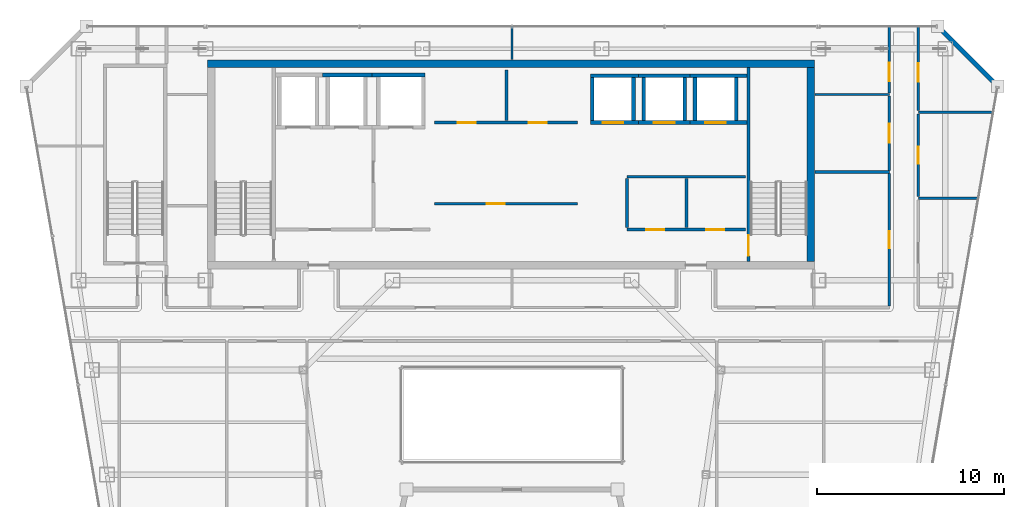
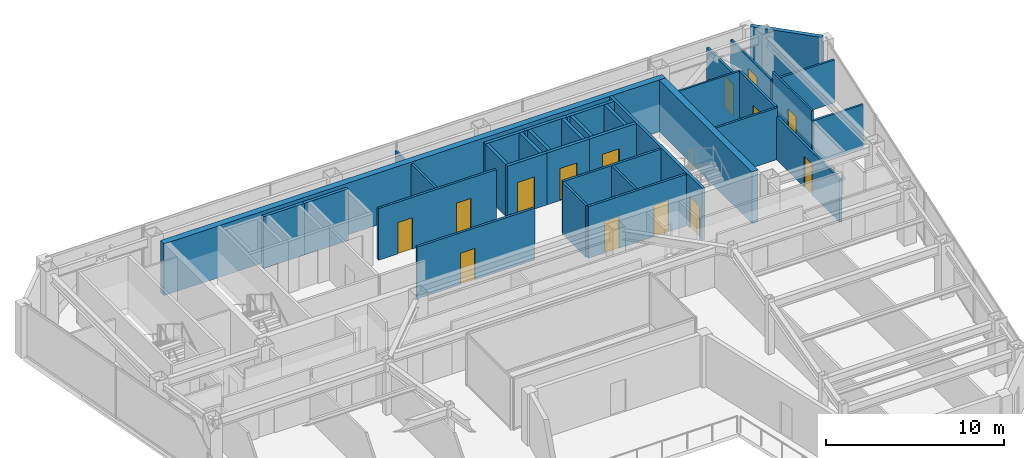
# One storey, part 26 of 31: 35 walls, 14 doors, 14 openings.
"""IFC4 building model written with IfcOpenShell, lengths in metres."""

from ifc_helpers import new_model, si_unit, direction, frame, frame_2d, origin, place, context, subcontext, project, spatial, rectangle, extrude, material, layer, layer_set, type_object, element, fill, save


model = new_model("IFC4")

# Units and contexts
model_context = context("Model", 3, precision=1e-05, world=origin(), true_north=direction((0.0, 1.0)))
body_context = subcontext(model_context, "Body", "Model", "MODEL_VIEW")
ifc_project = project(units=[si_unit("LENGTHUNIT", "METRE"), si_unit("AREAUNIT", "SQUARE_METRE"), si_unit("VOLUMEUNIT", "CUBIC_METRE"), si_unit("PLANEANGLEUNIT", "RADIAN"), si_unit("MASSUNIT", "GRAM", prefix="KILO")], contexts=[model_context])

# Site, building, storey
site_placement = place(None, origin())
site = spatial("IfcSite", under=ifc_project, at=site_placement, CompositionType="ELEMENT")
building_placement = place(site_placement, origin())
building = spatial("IfcBuilding", under=site, at=building_placement, Name="Saevonmaru Cultural Tower", CompositionType="ELEMENT")
storey_placement = place(building_placement, frame((0.0, 0.0, 230.60009765625)))
storey = spatial("IfcBuildingStorey", under=building, at=storey_placement, Name="L53", CompositionType="ELEMENT", Elevation=230.60009765625)

# Walls
ifc_material_1 = material(Name="Concrete C50/60", Category="concrete")
ifc_layer_1 = layer(ifc_material_1, 0.39990234375, Name="Concrete C50/60")
ifc_layer_set_1 = layer_set([ifc_layer_1], Name="Concrete C50/60")
wall_type_1 = type_object("IfcWallType", Name="WL-CORE-400", PredefinedType="SHEAR", material=ifc_layer_set_1)
wall_1_placement = place(storey_placement, frame((13.699951171875, 54.0, 0.0), z_axis=(0.0, 0.0, 1.0), x_axis=(1.0, 0.0, 0.0)))
element("IfcWall", 1, at=wall_1_placement, inside=storey, type_object=wall_type_1, Name="L53 Tower RC core shear wall N", PredefinedType="SHEAR", context=body_context, shape_type="SweptSolid", body=[
    extrude(rectangle(XDim=32.5, YDim=0.39990234375, at=frame_2d((16.25, 0.0))), origin(), (0.0, 0.0, 1.0), 3.5498046875),
])
wall_2_placement = place(storey_placement, frame((46.0, 43.39990234375, 0.0), z_axis=(0.0, 0.0, 1.0), x_axis=(0.0, 1.0, 0.0)))
element("IfcWall", 2, at=wall_2_placement, inside=storey, type_object=wall_type_1, Name="L53 Tower RC core shear wall E", PredefinedType="SHEAR", context=body_context, shape_type="SweptSolid", body=[
    extrude(rectangle(XDim=10.400146484375, YDim=0.39990234375, at=frame_2d((5.2001953125, 0.0))), origin(), (0.0, 0.0, 1.0), 3.5498046875),
])

# Wall, openings, doors
ifc_material_2 = material(Name="Gypsum Fireboard Partition", Category="gypsum")
ifc_layer_2 = layer(ifc_material_2, 0.14990234375, Name="Gypsum Fireboard Partition")
ifc_layer_set_2 = layer_set([ifc_layer_2], Name="Gypsum Fireboard Partition")
wall_type_2 = type_object("IfcWallType", Name="WL-CORE-PART-150", PredefinedType="PARTITIONING", material=ifc_layer_set_2)
wall_3_placement = place(storey_placement, frame((36.14990234375, 45.1201171875, 0.0), z_axis=(0.0, 0.0, 1.0), x_axis=(1.0, 0.0, 0.0)))
wall_3 = element("IfcWall", 3, at=wall_3_placement, inside=storey, type_object=wall_type_2, Name="L53 Core Cluster South Wall", PredefinedType="PARTITIONING", context=body_context, shape_type="SweptSolid", body=[
    extrude(rectangle(XDim=6.35009765625, YDim=0.14990234375, at=frame_2d((3.175048828125, 0.0))), origin(), (0.0, 0.0, 1.0), 3.5498046875),
])
opening_1_placement = place(wall_3_placement, frame((1.050048828125, 0.0, 0.0)))
opening_1 = element("IfcOpeningElement", 4, at=opening_1_placement, cuts=wall_3, Name="Opening FD-4", PredefinedType="OPENING", context=body_context, shape_type="SweptSolid", body=[
    extrude(rectangle(XDim=0.949951171875, YDim=2.14990234375, at=frame_2d((0.47509765625, 1.074951171875))), frame((0.0, 0.0849609375, 0.0), z_axis=(0.0, -1.0, 0.0), x_axis=(1.0, 0.0, 0.0)), (0.0, 0.0, 1.0), 0.169921875),
])
opening_2_placement = place(wall_3_placement, frame((4.25, 0.0, 0.0)))
opening_2 = element("IfcOpeningElement", 5, at=opening_2_placement, cuts=wall_3, Name="Opening FD-4", PredefinedType="OPENING", context=body_context, shape_type="SweptSolid", body=[
    extrude(rectangle(XDim=0.949951171875, YDim=2.14990234375, at=frame_2d((0.47509765625, 1.074951171875))), frame((0.0, 0.0849609375, 0.0), z_axis=(0.0, -1.0, 0.0), x_axis=(1.0, 0.0, 0.0)), (0.0, 0.0, 1.0), 0.169921875),
])
ifc_material_3 = material(Name="Satin Bronze Anodised Aluminium", Category="aluminium")
door_type_1 = type_object("IfcDoorType", Name="DR-FD60-950", OperationType="SINGLE_SWING_LEFT", PredefinedType="DOOR", material=ifc_material_3)
door_1_placement = place(opening_1_placement, origin())
door_1 = element("IfcDoor", 6, at=door_1_placement, inside=storey, type_object=door_type_1, Name="L53 BMS Control Room Door", OperationType="SINGLE_SWING_LEFT", OverallHeight=2.14990234375, OverallWidth=0.949951171875, PredefinedType="DOOR", context=body_context, shape_type="SweptSolid", body=[
    extrude(rectangle(XDim=0.949951171875, YDim=2.14990234375, at=frame_2d((0.47509765625, 1.074951171875))), frame((0.0, 0.02490234375, 0.0), z_axis=(0.0, -1.0, 0.0), x_axis=(1.0, 0.0, 0.0)), (0.0, 0.0, 1.0), 0.050048828125),
])
fill(opening_1, door_1)
door_2_placement = place(opening_2_placement, origin())
door_2 = element("IfcDoor", 7, at=door_2_placement, inside=storey, type_object=door_type_1, Name="L53 Fibre Node Plant Door", OperationType="SINGLE_SWING_LEFT", OverallHeight=2.14990234375, OverallWidth=0.949951171875, PredefinedType="DOOR", context=body_context, shape_type="SweptSolid", body=[
    extrude(rectangle(XDim=0.949951171875, YDim=2.14990234375, at=frame_2d((0.47509765625, 1.074951171875))), frame((0.0, 0.02490234375, 0.0), z_axis=(0.0, -1.0, 0.0), x_axis=(1.0, 0.0, 0.0)), (0.0, 0.0, 1.0), 0.050048828125),
])
fill(opening_2, door_2)

# Walls
wall_4_placement = place(storey_placement, frame((36.14990234375, 47.949951171875, 0.0), z_axis=(0.0, 0.0, 1.0), x_axis=(1.0, 0.0, 0.0)))
element("IfcWall", 8, at=wall_4_placement, inside=storey, type_object=wall_type_2, Name="L53 Core Cluster North Wall", PredefinedType="PARTITIONING", context=body_context, shape_type="SweptSolid", body=[
    extrude(rectangle(XDim=6.35009765625, YDim=0.14990234375, at=frame_2d((3.175048828125, 0.0))), origin(), (0.0, 0.0, 1.0), 3.5498046875),
])
for number, where, z_axis, x_axis, name in (
    (9, (36.14990234375, 45.219970703125, 0.0), (0.0, 0.0, 1.0), (0.0, 1.0, 0.0), "L53 Core Cluster West Wall"),
    (10, (39.35009765625, 45.219970703125, 0.0), (0.0, 0.0, 1.0), (0.0, 1.0, 0.0), "L53 Core Cluster Inner Split"),
):
    element("IfcWall", number, at=place(storey_placement, frame(where, z_axis=z_axis, x_axis=x_axis)), inside=storey, type_object=wall_type_2, Name=name, PredefinedType="PARTITIONING", context=body_context, shape_type="SweptSolid", body=[
        extrude(rectangle(XDim=2.630126953125, YDim=0.14990234375, at=frame_2d((1.31494140625, 0.0))), origin(), (0.0, 0.0, 1.0), 3.5498046875),
    ])

# Wall, openings, doors
wall_5_placement = place(storey_placement, frame((25.85009765625, 50.85009765625, 0.0), z_axis=(0.0, 0.0, 1.0), x_axis=(1.0, 0.0, 0.0)))
wall_5 = element("IfcWall", 11, at=wall_5_placement, inside=storey, type_object=wall_type_2, Name="L53 Reclaimed Core Room South Wall", PredefinedType="PARTITIONING", context=body_context, shape_type="SweptSolid", body=[
    extrude(rectangle(XDim=7.64990234375, YDim=0.14990234375, at=frame_2d((3.824951171875, 0.0))), origin(), (0.0, 0.0, 1.0), 3.5498046875),
])
opening_3_placement = place(wall_5_placement, frame((1.25, 0.0, 0.0)))
opening_3 = element("IfcOpeningElement", 12, at=opening_3_placement, cuts=wall_5, Name="Opening FD-4", PredefinedType="OPENING", context=body_context, shape_type="SweptSolid", body=[
    extrude(rectangle(XDim=0.949951171875, YDim=2.14990234375, at=frame_2d((0.47509765625, 1.074951171875))), frame((0.0, 0.0849609375, 0.0), z_axis=(0.0, -1.0, 0.0), x_axis=(1.0, 0.0, 0.0)), (0.0, 0.0, 1.0), 0.169921875),
])
opening_4_placement = place(wall_5_placement, frame((5.050048828125, 0.0, 0.0)))
opening_4 = element("IfcOpeningElement", 13, at=opening_4_placement, cuts=wall_5, Name="Opening FD-4", PredefinedType="OPENING", context=body_context, shape_type="SweptSolid", body=[
    extrude(rectangle(XDim=0.949951171875, YDim=2.14990234375, at=frame_2d((0.47509765625, 1.074951171875))), frame((0.0, 0.0849609375, 0.0), z_axis=(0.0, -1.0, 0.0), x_axis=(1.0, 0.0, 0.0)), (0.0, 0.0, 1.0), 0.169921875),
])
door_3_placement = place(opening_3_placement, origin())
door_3 = element("IfcDoor", 14, at=door_3_placement, inside=storey, type_object=door_type_1, Name="L53 Reclaimed Archive Vault Door", OperationType="SINGLE_SWING_LEFT", OverallHeight=2.14990234375, OverallWidth=0.949951171875, PredefinedType="DOOR", context=body_context, shape_type="SweptSolid", body=[
    extrude(rectangle(XDim=0.949951171875, YDim=2.14990234375, at=frame_2d((0.47509765625, 1.074951171875))), frame((0.0, 0.02490234375, 0.0), z_axis=(0.0, -1.0, 0.0), x_axis=(1.0, 0.0, 0.0)), (0.0, 0.0, 1.0), 0.050048828125),
])
fill(opening_3, door_3)
door_4_placement = place(opening_4_placement, origin())
door_4 = element("IfcDoor", 15, at=door_4_placement, inside=storey, type_object=door_type_1, Name="L53 Reclaimed Conservation Storage Door", OperationType="SINGLE_SWING_LEFT", OverallHeight=2.14990234375, OverallWidth=0.949951171875, PredefinedType="DOOR", context=body_context, shape_type="SweptSolid", body=[
    extrude(rectangle(XDim=0.949951171875, YDim=2.14990234375, at=frame_2d((0.47509765625, 1.074951171875))), frame((0.0, 0.02490234375, 0.0), z_axis=(0.0, -1.0, 0.0), x_axis=(1.0, 0.0, 0.0)), (0.0, 0.0, 1.0), 0.050048828125),
])
fill(opening_4, door_4)

# Wall
wall_6_placement = place(storey_placement, frame((29.699951171875, 50.949951171875, 0.0), z_axis=(0.0, 0.0, 1.0), x_axis=(0.0, 1.0, 0.0)))
element("IfcWall", 16, at=wall_6_placement, inside=storey, type_object=wall_type_2, Name="L53 Reclaimed Vault Split", PredefinedType="PARTITIONING", context=body_context, shape_type="SweptSolid", body=[
    extrude(rectangle(XDim=2.699951171875, YDim=0.14990234375, at=frame_2d((1.35009765625, 0.0))), origin(), (0.0, 0.0, 1.0), 3.5498046875),
])

# Wall, opening, door
wall_7_placement = place(storey_placement, frame((25.85009765625, 46.5, 0.0), z_axis=(0.0, 0.0, 1.0), x_axis=(1.0, 0.0, 0.0)))
wall_7 = element("IfcWall", 17, at=wall_7_placement, inside=storey, type_object=wall_type_2, Name="L53 Reclaimed Mid-Shaft Wall", PredefinedType="PARTITIONING", context=body_context, shape_type="SweptSolid", body=[
    extrude(rectangle(XDim=7.64990234375, YDim=0.14990234375, at=frame_2d((3.824951171875, 0.0))), origin(), (0.0, 0.0, 1.0), 3.5498046875),
])
opening_5_placement = place(wall_7_placement, frame((2.800048828125, 0.0, 0.0)))
opening_5 = element("IfcOpeningElement", 18, at=opening_5_placement, cuts=wall_7, Name="Opening FD-4", PredefinedType="OPENING", context=body_context, shape_type="SweptSolid", body=[
    extrude(rectangle(XDim=0.949951171875, YDim=2.14990234375, at=frame_2d((0.47509765625, 1.074951171875))), frame((0.0, 0.0849609375, 0.0), z_axis=(0.0, -1.0, 0.0), x_axis=(1.0, 0.0, 0.0)), (0.0, 0.0, 1.0), 0.169921875),
])
door_5_placement = place(opening_5_placement, origin())
door_5 = element("IfcDoor", 19, at=door_5_placement, inside=storey, type_object=door_type_1, Name="L53 Reclaimed Manuscript Storage Door", OperationType="SINGLE_SWING_LEFT", OverallHeight=2.14990234375, OverallWidth=0.949951171875, PredefinedType="DOOR", context=body_context, shape_type="SweptSolid", body=[
    extrude(rectangle(XDim=0.949951171875, YDim=2.14990234375, at=frame_2d((0.47509765625, 1.074951171875))), frame((0.0, 0.02490234375, 0.0), z_axis=(0.0, -1.0, 0.0), x_axis=(1.0, 0.0, 0.0)), (0.0, 0.0, 1.0), 0.050048828125),
])
fill(opening_5, door_5)

# Wall
ifc_material_4 = material(Name="Granite-Clad Precast Concrete C40/50", Category="masonry")
ifc_layer_3 = layer(ifc_material_4, 0.260009765625, Name="Granite-Clad Precast Concrete C40/50")
ifc_layer_set_3 = layer_set([ifc_layer_3], Name="Granite-Clad Precast Concrete C40/50")
wall_type_3 = type_object("IfcWallType", Name="WL-EXT-SPANDREL-260", PredefinedType="STANDARD", material=ifc_layer_set_3)
wall_8_placement = place(storey_placement, frame((55.886962890625, 52.9130859375, 0.0), z_axis=(0.0, 0.0, 1.0), x_axis=(-0.707106781187, 0.707106781187, 0.0)))
element("IfcWall", 20, at=wall_8_placement, inside=storey, type_object=wall_type_3, Name="L53 Chamfer Corner Spandrel Wall E9", PredefinedType="STANDARD", context=body_context, shape_type="SweptSolid", body=[
    extrude(rectangle(XDim=4.205810546875, YDim=0.260009765625, at=frame_2d((2.10302734375, 0.0))), origin(), (0.0, 0.0, 1.0), 3.5498046875),
])

# Wall, opening, door
ifc_layer_4 = layer(ifc_material_2, 0.14990234375, Name="Gypsum Fireboard Partition")
ifc_layer_set_4 = layer_set([ifc_layer_4], Name="Gypsum Fireboard Partition")
wall_type_4 = type_object("IfcWallType", Name="WL-PART-FIRE-150", PredefinedType="PARTITIONING", material=ifc_layer_set_4)
wall_9_placement = place(storey_placement, frame((50.199951171875, 48.2900390625, 0.0), z_axis=(0.0, 0.0, 1.0), x_axis=(0.0, 1.0, 0.0)))
wall_9 = element("IfcWall", 21, at=wall_9_placement, inside=storey, type_object=wall_type_4, Name="L53 Chamber Rehearsal Auditorium Corridor Wall", PredefinedType="PARTITIONING", context=body_context, shape_type="SweptSolid", body=[
    extrude(rectangle(XDim=3.97998046875, YDim=0.14990234375, at=frame_2d((1.989990234375, 0.0))), origin(), (0.0, 0.0, 1.0), 3.5498046875),
])
opening_6_placement = place(wall_9_placement, frame((1.489990234375, 0.0, 0.0)))
opening_6 = element("IfcOpeningElement", 22, at=opening_6_placement, cuts=wall_9, Name="Opening ID-1B", PredefinedType="OPENING", context=body_context, shape_type="SweptSolid", body=[
    extrude(rectangle(XDim=1.0, YDim=2.14990234375, at=frame_2d((0.5, 1.074951171875))), frame((0.0, 0.0849609375, 0.0), z_axis=(0.0, -1.0, 0.0), x_axis=(1.0, 0.0, 0.0)), (0.0, 0.0, 1.0), 0.169921875),
])
ifc_material_5 = material(Name="Acoustic Stained Oak Timber", Category="wood")
door_type_2 = type_object("IfcDoorType", Name="DR-INT-1000", OperationType="SINGLE_SWING_RIGHT", PredefinedType="DOOR", material=ifc_material_5)
door_6_placement = place(opening_6_placement, origin())
door_6 = element("IfcDoor", 23, at=door_6_placement, inside=storey, type_object=door_type_2, Name="L53 Chamber Rehearsal Auditorium Door", OperationType="SINGLE_SWING_LEFT", OverallHeight=2.14990234375, OverallWidth=1.0, PredefinedType="DOOR", context=body_context, shape_type="SweptSolid", body=[
    extrude(rectangle(XDim=1.0, YDim=2.14990234375, at=frame_2d((0.5, 1.074951171875))), frame((0.0, 0.02490234375, 0.0), z_axis=(0.0, -1.0, 0.0), x_axis=(1.0, 0.0, 0.0)), (0.0, 0.0, 1.0), 0.050048828125),
])
fill(opening_6, door_6)

wall_10_placement = place(storey_placement, frame((50.199951171875, 52.429931640625, 0.0), z_axis=(0.0, 0.0, 1.0), x_axis=(0.0, 1.0, 0.0)))
wall_10 = element("IfcWall", 24, at=wall_10_placement, inside=storey, type_object=wall_type_4, Name="L53 Media Screening Auditorium Corridor Wall", PredefinedType="PARTITIONING", context=body_context, shape_type="SweptSolid", body=[
    extrude(rectangle(XDim=3.565185546875, YDim=0.14990234375, at=frame_2d((1.78271484375, 0.0))), origin(), (0.0, 0.0, 1.0), 2.934814453125),
])
opening_7_placement = place(wall_10_placement, frame((0.6220703125, 0.0, 0.0)))
opening_7 = element("IfcOpeningElement", 25, at=opening_7_placement, cuts=wall_10, Name="Opening ID-1B", PredefinedType="OPENING", context=body_context, shape_type="SweptSolid", body=[
    extrude(rectangle(XDim=1.0, YDim=2.14990234375, at=frame_2d((0.5, 1.074951171875))), frame((0.0, 0.0849609375, 0.0), z_axis=(0.0, -1.0, 0.0), x_axis=(1.0, 0.0, 0.0)), (0.0, 0.0, 1.0), 0.169921875),
])
door_7_placement = place(opening_7_placement, origin())
door_7 = element("IfcDoor", 26, at=door_7_placement, inside=storey, type_object=door_type_2, Name="L53 Media Screening Auditorium Door", OperationType="SINGLE_SWING_RIGHT", OverallHeight=2.14990234375, OverallWidth=1.0, PredefinedType="DOOR", context=body_context, shape_type="SweptSolid", body=[
    extrude(rectangle(XDim=1.0, YDim=2.14990234375, at=frame_2d((0.5, 1.074951171875))), frame((0.0, 0.02490234375, 0.0), z_axis=(0.0, -1.0, 0.0), x_axis=(1.0, 0.0, 0.0)), (0.0, 0.0, 1.0), 0.050048828125),
])
fill(opening_7, door_7)

# Walls
ifc_layer_5 = layer(ifc_material_2, 0.1201171875, Name="Gypsum Fireboard Partition")
ifc_layer_set_5 = layer_set([ifc_layer_5], Name="Gypsum Fireboard Partition")
wall_type_5 = type_object("IfcWallType", Name="WL-PART-GYP-120", PredefinedType="PARTITIONING", material=ifc_layer_set_5)
wall_11_placement = place(storey_placement, frame((46.219970703125, 52.35009765625, 0.0), z_axis=(0.0, 0.0, 1.0), x_axis=(1.0, 0.0, 0.0)))
element("IfcWall", 27, at=wall_11_placement, inside=storey, type_object=wall_type_5, Name="L53 North-East Panorama South Wall", PredefinedType="PARTITIONING", context=body_context, shape_type="SweptSolid", body=[
    extrude(rectangle(XDim=3.97998046875, YDim=0.1201171875, at=frame_2d((1.989990234375, 0.0))), origin(), (0.0, 0.0, 1.0), 3.5498046875),
])
wall_12_placement = place(storey_placement, frame((30.0, 54.219970703125, 0.0), z_axis=(0.0, 0.0, 1.0), x_axis=(0.0, 1.0, 0.0)))
element("IfcWall", 28, at=wall_12_placement, inside=storey, type_object=wall_type_5, Name="L53 North Panorama Center Split", PredefinedType="PARTITIONING", context=body_context, shape_type="SweptSolid", body=[
    extrude(rectangle(XDim=1.775146484375, YDim=0.1201171875, at=frame_2d((0.8876953125, 0.0))), origin(), (0.0, 0.0, 1.0), 2.934814453125),
])

# Wall, opening, door
wall_13_placement = place(storey_placement, frame((51.75, 46.887451171875, 0.0), z_axis=(0.0, 0.0, 1.0), x_axis=(0.0, 1.0, 0.0)))
wall_13 = element("IfcWall", 29, at=wall_13_placement, inside=storey, type_object=wall_type_5, Name="L53 Architecture Residency Office Corridor Wall", PredefinedType="PARTITIONING", context=body_context, shape_type="SweptSolid", body=[
    extrude(rectangle(XDim=4.425048828125, YDim=0.1201171875, at=frame_2d((2.21240234375, 0.0))), origin(), (0.0, 0.0, 1.0), 3.5498046875),
])
opening_8_placement = place(wall_13_placement, frame((1.761962890625, 0.0, 0.0)))
opening_8 = element("IfcOpeningElement", 30, at=opening_8_placement, cuts=wall_13, Name="Opening ID-2", PredefinedType="OPENING", context=body_context, shape_type="SweptSolid", body=[
    extrude(rectangle(XDim=0.89990234375, YDim=2.10009765625, at=frame_2d((0.449951171875, 1.050048828125))), frame((0.0, 0.070068359375, 0.0), z_axis=(0.0, -1.0, 0.0), x_axis=(1.0, 0.0, 0.0)), (0.0, 0.0, 1.0), 0.14013671875),
])
door_type_3 = type_object("IfcDoorType", Name="DR-INT-900", OperationType="SINGLE_SWING_RIGHT", PredefinedType="DOOR", material=ifc_material_5)
door_8_placement = place(opening_8_placement, origin())
door_8 = element("IfcDoor", 31, at=door_8_placement, inside=storey, type_object=door_type_3, Name="L53 Architecture Residency Office Door", OperationType="SINGLE_SWING_RIGHT", OverallHeight=2.10009765625, OverallWidth=0.89990234375, PredefinedType="DOOR", context=body_context, shape_type="SweptSolid", body=[
    extrude(rectangle(XDim=0.89990234375, YDim=2.10009765625, at=frame_2d((0.449951171875, 1.050048828125))), frame((0.0, 0.02490234375, 0.0), z_axis=(0.0, -1.0, 0.0), x_axis=(1.0, 0.0, 0.0)), (0.0, 0.0, 1.0), 0.050048828125),
])
fill(opening_8, door_8)

wall_14_placement = place(storey_placement, frame((51.75, 51.487548828125, 0.0), z_axis=(0.0, 0.0, 1.0), x_axis=(0.0, 1.0, 0.0)))
wall_14 = element("IfcWall", 32, at=wall_14_placement, inside=storey, type_object=wall_type_5, Name="L53 Botanical Tea Bistro Corridor Wall", PredefinedType="PARTITIONING", context=body_context, shape_type="SweptSolid", body=[
    extrude(rectangle(XDim=4.507568359375, YDim=0.1201171875, at=frame_2d((2.25390625, 0.0))), origin(), (0.0, 0.0, 1.0), 2.934814453125),
])
opening_9_placement = place(wall_14_placement, frame((1.533935546875, 0.0, 0.0)))
opening_9 = element("IfcOpeningElement", 33, at=opening_9_placement, cuts=wall_14, Name="Opening ID-1B", PredefinedType="OPENING", context=body_context, shape_type="SweptSolid", body=[
    extrude(rectangle(XDim=1.0, YDim=2.14990234375, at=frame_2d((0.5, 1.074951171875))), frame((0.0, 0.070068359375, 0.0), z_axis=(0.0, -1.0, 0.0), x_axis=(1.0, 0.0, 0.0)), (0.0, 0.0, 1.0), 0.14013671875),
])
door_9_placement = place(opening_9_placement, origin())
door_9 = element("IfcDoor", 34, at=door_9_placement, inside=storey, type_object=door_type_2, Name="L53 Botanical Tea Bistro Door", OperationType="SINGLE_SWING_LEFT", OverallHeight=2.14990234375, OverallWidth=1.0, PredefinedType="DOOR", context=body_context, shape_type="SweptSolid", body=[
    extrude(rectangle(XDim=1.0, YDim=2.14990234375, at=frame_2d((0.5, 1.074951171875))), frame((0.0, 0.02490234375, 0.0), z_axis=(0.0, -1.0, 0.0), x_axis=(1.0, 0.0, 0.0)), (0.0, 0.0, 1.0), 0.050048828125),
])
fill(opening_9, door_9)

# Walls
ifc_layer_6 = layer(ifc_material_2, 0.135009765625, Name="Gypsum Fireboard Partition")
ifc_layer_set_6 = layer_set([ifc_layer_6], Name="Gypsum Fireboard Partition")
wall_type_6 = type_object("IfcWallType", Name="WL-PART-GYP-135", PredefinedType="PARTITIONING", material=ifc_layer_set_6)
wall_15_placement = place(storey_placement, frame((51.75, 46.800048828125, 0.0), z_axis=(0.0, 0.0, 1.0), x_axis=(1.0, 0.0, 0.0)))
element("IfcWall", 35, at=wall_15_placement, inside=storey, type_object=wall_type_6, Name="L53 NE Studio Divider 1", PredefinedType="PARTITIONING", context=body_context, shape_type="SweptSolid", body=[
    extrude(rectangle(XDim=3.204833984375, YDim=0.135009765625, at=frame_2d((1.6025390625, 0.0))), origin(), (0.0, 0.0, 1.0), 2.947021484375),
])
wall_16_placement = place(storey_placement, frame((51.75, 51.39990234375, 0.0), z_axis=(0.0, 0.0, 1.0), x_axis=(1.0, 0.0, 0.0)))
element("IfcWall", 36, at=wall_16_placement, inside=storey, type_object=wall_type_6, Name="L53 NE Studio Divider 2", PredefinedType="PARTITIONING", context=body_context, shape_type="SweptSolid", body=[
    extrude(rectangle(XDim=4.002197265625, YDim=0.135009765625, at=frame_2d((2.0009765625, 0.0))), origin(), (0.0, 0.0, 1.0), 2.947021484375),
])
ifc_layer_7 = layer(ifc_material_2, 0.139892578125, Name="Gypsum Fireboard Partition")
ifc_layer_set_7 = layer_set([ifc_layer_7], Name="Gypsum Fireboard Partition")
wall_type_7 = type_object("IfcWallType", Name="WL-PART-WET-140", PredefinedType="PARTITIONING", material=ifc_layer_set_7)
wall_17_placement = place(storey_placement, frame((46.219970703125, 48.199951171875, 0.0), z_axis=(0.0, 0.0, 1.0), x_axis=(1.0, 0.0, 0.0)))
element("IfcWall", 37, at=wall_17_placement, inside=storey, type_object=wall_type_7, Name="L53 Washroom North Wall", PredefinedType="PARTITIONING", context=body_context, shape_type="SweptSolid", body=[
    extrude(rectangle(XDim=3.97998046875, YDim=0.139892578125, at=frame_2d((1.989990234375, 0.0))), origin(), (0.0, 0.0, 1.0), 3.5498046875),
])

# Wall, opening, door
wall_18_placement = place(storey_placement, frame((50.199951171875, 41.0400390625, 0.0), z_axis=(0.0, 0.0, 1.0), x_axis=(0.0, 1.0, 0.0)))
wall_18 = element("IfcWall", 38, at=wall_18_placement, inside=storey, type_object=wall_type_7, Name="L53 Washroom Corridor Wall", PredefinedType="PARTITIONING", context=body_context, shape_type="SweptSolid", body=[
    extrude(rectangle(XDim=7.070068359375, YDim=0.139892578125, at=frame_2d((3.53515625, 0.0))), origin(), (0.0, 0.0, 1.0), 2.947021484375),
])
opening_10_placement = place(wall_18_placement, frame((3.0849609375, 0.0, 0.0)))
opening_10 = element("IfcOpeningElement", 39, at=opening_10_placement, cuts=wall_18, Name="Opening ID-2", PredefinedType="OPENING", context=body_context, shape_type="SweptSolid", body=[
    extrude(rectangle(XDim=0.89990234375, YDim=2.10009765625, at=frame_2d((0.449951171875, 1.050048828125))), frame((0.0, 0.080078125, 0.0), z_axis=(0.0, -1.0, 0.0), x_axis=(1.0, 0.0, 0.0)), (0.0, 0.0, 1.0), 0.159912109375),
])
door_10_placement = place(opening_10_placement, origin())
door_10 = element("IfcDoor", 40, at=door_10_placement, inside=storey, type_object=door_type_3, Name="L53 Public Accessible Washrooms Door", OperationType="SINGLE_SWING_RIGHT", OverallHeight=2.10009765625, OverallWidth=0.89990234375, PredefinedType="DOOR", context=body_context, shape_type="SweptSolid", body=[
    extrude(rectangle(XDim=0.89990234375, YDim=2.10009765625, at=frame_2d((0.449951171875, 1.050048828125))), frame((0.0, 0.02490234375, 0.0), z_axis=(0.0, -1.0, 0.0), x_axis=(1.0, 0.0, 0.0)), (0.0, 0.0, 1.0), 0.050048828125),
])
fill(opening_10, door_10)

# Walls
ifc_material_6 = material(Name="Concrete C40/50", Category="concrete")
ifc_layer_8 = layer(ifc_material_6, 0.199951171875, Name="Concrete C40/50")
ifc_layer_set_8 = layer_set([ifc_layer_8], Name="Concrete C40/50")
wall_type_8 = type_object("IfcWallType", Name="WL-SHAFT-200", PredefinedType="SHEAR", material=ifc_layer_set_8)
wall_19_placement = place(storey_placement, frame((19.85009765625, 53.39990234375, 0.0), z_axis=(0.0, 0.0, 1.0), x_axis=(1.0, 0.0, 0.0)))
element("IfcWall", 41, at=wall_19_placement, inside=storey, type_object=wall_type_8, Name="L53 Lift FFL-2 Hoistway Wall N", PredefinedType="SHEAR", context=body_context, shape_type="SweptSolid", body=[
    extrude(rectangle(XDim=2.64990234375, YDim=0.199951171875, at=frame_2d((1.324951171875, 0.0))), origin(), (0.0, 0.0, 1.0), 3.5498046875),
])
wall_20_placement = place(storey_placement, frame((22.5, 53.39990234375, 0.0), z_axis=(0.0, 0.0, 1.0), x_axis=(1.0, 0.0, 0.0)))
element("IfcWall", 42, at=wall_20_placement, inside=storey, type_object=wall_type_8, Name="L53 Lift GL-1 Hoistway Wall N", PredefinedType="SHEAR", context=body_context, shape_type="SweptSolid", body=[
    extrude(rectangle(XDim=2.85009765625, YDim=0.199951171875, at=frame_2d((1.425048828125, 0.0))), origin(), (0.0, 0.0, 1.0), 3.5498046875),
])

# Wall, opening, door
wall_21_placement = place(storey_placement, frame((34.199951171875, 50.85009765625, 0.0), z_axis=(0.0, 0.0, 1.0), x_axis=(1.0, 0.0, 0.0)))
wall_21 = element("IfcWall", 43, at=wall_21_placement, inside=storey, type_object=wall_type_8, Name="L53 Lift PL-H1 Hoistway Wall S", PredefinedType="SHEAR", context=body_context, shape_type="SweptSolid", body=[
    extrude(rectangle(XDim=2.574951171875, YDim=0.199951171875, at=frame_2d((1.28759765625, 0.0))), origin(), (0.0, 0.0, 1.0), 3.5498046875),
])
opening_11_placement = place(wall_21_placement, frame((0.64990234375, 0.0, 0.0)))
opening_11 = element("IfcOpeningElement", 44, at=opening_11_placement, cuts=wall_21, Name="Opening LD-1", PredefinedType="OPENING", context=body_context, shape_type="SweptSolid", body=[
    extrude(rectangle(XDim=1.10009765625, YDim=2.199951171875, at=frame_2d((0.550048828125, 1.10009765625))), frame((0.0, 0.10986328125, 0.0), z_axis=(0.0, -1.0, 0.0), x_axis=(1.0, 0.0, 0.0)), (0.0, 0.0, 1.0), 0.219970703125),
])
ifc_material_7 = material(Name="Satin Bronze Stainless Steel", Category="steel")
door_type_4 = type_object("IfcDoorType", Name="DR-LIFT-1100", OperationType="SLIDING_TO_LEFT", PredefinedType="DOOR", material=ifc_material_7)
door_11_placement = place(opening_11_placement, origin())
door_11 = element("IfcDoor", 45, at=door_11_placement, inside=storey, type_object=door_type_4, Name="L53 Lift PL-H1 Sliding Landing Door", OperationType="SLIDING_TO_LEFT", OverallHeight=2.199951171875, OverallWidth=1.10009765625, PredefinedType="DOOR", context=body_context, shape_type="SweptSolid", body=[
    extrude(rectangle(XDim=1.10009765625, YDim=2.199951171875, at=frame_2d((0.550048828125, 1.10009765625))), frame((0.0, 0.02490234375, 0.0), z_axis=(0.0, -1.0, 0.0), x_axis=(1.0, 0.0, 0.0)), (0.0, 0.0, 1.0), 0.050048828125),
])
fill(opening_11, door_11)

# Walls
wall_22_placement = place(storey_placement, frame((34.199951171875, 53.35009765625, 0.0), z_axis=(0.0, 0.0, 1.0), x_axis=(1.0, 0.0, 0.0)))
element("IfcWall", 46, at=wall_22_placement, inside=storey, type_object=wall_type_8, Name="L53 Lift PL-H1 Hoistway Wall N", PredefinedType="SHEAR", context=body_context, shape_type="SweptSolid", body=[
    extrude(rectangle(XDim=2.574951171875, YDim=0.199951171875, at=frame_2d((1.28759765625, 0.0))), origin(), (0.0, 0.0, 1.0), 3.5498046875),
])
for number, where, z_axis, x_axis, name in (
    (47, (34.300048828125, 50.949951171875, 0.0), (0.0, 0.0, 1.0), (0.0, 1.0, 0.0), "L53 Lift PL-H1 Hoistway Wall W"),
    (48, (36.5, 50.949951171875, 0.0), (0.0, 0.0, 1.0), (0.0, 1.0, 0.0), "L53 Lift PL-H1 Hoistway Wall E"),
):
    element("IfcWall", number, at=place(storey_placement, frame(where, z_axis=z_axis, x_axis=x_axis)), inside=storey, type_object=wall_type_8, Name=name, PredefinedType="SHEAR", context=body_context, shape_type="SweptSolid", body=[
        extrude(rectangle(XDim=2.300048828125, YDim=0.199951171875, at=frame_2d((1.14990234375, 0.0))), origin(), (0.0, 0.0, 1.0), 3.5498046875),
    ])

# Wall, opening, door
wall_23_placement = place(storey_placement, frame((36.77490234375, 50.85009765625, 0.0), z_axis=(0.0, 0.0, 1.0), x_axis=(1.0, 0.0, 0.0)))
wall_23 = element("IfcWall", 49, at=wall_23_placement, inside=storey, type_object=wall_type_8, Name="L53 Lift PL-H2 Hoistway Wall S", PredefinedType="SHEAR", context=body_context, shape_type="SweptSolid", body=[
    extrude(rectangle(XDim=2.75, YDim=0.199951171875, at=frame_2d((1.375, 0.0))), origin(), (0.0, 0.0, 1.0), 3.5498046875),
])
opening_12_placement = place(wall_23_placement, frame((0.824951171875, 0.0, 0.0)))
opening_12 = element("IfcOpeningElement", 50, at=opening_12_placement, cuts=wall_23, Name="Opening LD-1", PredefinedType="OPENING", context=body_context, shape_type="SweptSolid", body=[
    extrude(rectangle(XDim=1.10009765625, YDim=2.199951171875, at=frame_2d((0.550048828125, 1.10009765625))), frame((0.0, 0.10986328125, 0.0), z_axis=(0.0, -1.0, 0.0), x_axis=(1.0, 0.0, 0.0)), (0.0, 0.0, 1.0), 0.219970703125),
])
door_12_placement = place(opening_12_placement, origin())
door_12 = element("IfcDoor", 51, at=door_12_placement, inside=storey, type_object=door_type_4, Name="L53 Lift PL-H2 Sliding Landing Door", OperationType="SLIDING_TO_LEFT", OverallHeight=2.199951171875, OverallWidth=1.10009765625, PredefinedType="DOOR", context=body_context, shape_type="SweptSolid", body=[
    extrude(rectangle(XDim=1.10009765625, YDim=2.199951171875, at=frame_2d((0.550048828125, 1.10009765625))), frame((0.0, 0.02490234375, 0.0), z_axis=(0.0, -1.0, 0.0), x_axis=(1.0, 0.0, 0.0)), (0.0, 0.0, 1.0), 0.050048828125),
])
fill(opening_12, door_12)

# Walls
wall_24_placement = place(storey_placement, frame((36.77490234375, 53.35009765625, 0.0), z_axis=(0.0, 0.0, 1.0), x_axis=(1.0, 0.0, 0.0)))
element("IfcWall", 52, at=wall_24_placement, inside=storey, type_object=wall_type_8, Name="L53 Lift PL-H2 Hoistway Wall N", PredefinedType="SHEAR", context=body_context, shape_type="SweptSolid", body=[
    extrude(rectangle(XDim=2.75, YDim=0.199951171875, at=frame_2d((1.375, 0.0))), origin(), (0.0, 0.0, 1.0), 3.5498046875),
])
for number, where, z_axis, x_axis, name in (
    (53, (37.050048828125, 50.949951171875, 0.0), (0.0, 0.0, 1.0), (0.0, 1.0, 0.0), "L53 Lift PL-H2 Hoistway Wall W"),
    (54, (39.25, 50.949951171875, 0.0), (0.0, 0.0, 1.0), (0.0, 1.0, 0.0), "L53 Lift PL-H2 Hoistway Wall E"),
):
    element("IfcWall", number, at=place(storey_placement, frame(where, z_axis=z_axis, x_axis=x_axis)), inside=storey, type_object=wall_type_8, Name=name, PredefinedType="SHEAR", context=body_context, shape_type="SweptSolid", body=[
        extrude(rectangle(XDim=2.300048828125, YDim=0.199951171875, at=frame_2d((1.14990234375, 0.0))), origin(), (0.0, 0.0, 1.0), 3.5498046875),
    ])

# Wall, opening, door
wall_25_placement = place(storey_placement, frame((39.52490234375, 50.85009765625, 0.0), z_axis=(0.0, 0.0, 1.0), x_axis=(1.0, 0.0, 0.0)))
wall_25 = element("IfcWall", 55, at=wall_25_placement, inside=storey, type_object=wall_type_8, Name="L53 Lift PL-H3 Hoistway Wall S", PredefinedType="SHEAR", context=body_context, shape_type="SweptSolid", body=[
    extrude(rectangle(XDim=3.045166015625, YDim=0.199951171875, at=frame_2d((1.5224609375, 0.0))), origin(), (0.0, 0.0, 1.0), 3.5498046875),
])
opening_13_placement = place(wall_25_placement, frame((0.824951171875, 0.0, 0.0)))
opening_13 = element("IfcOpeningElement", 56, at=opening_13_placement, cuts=wall_25, Name="Opening LD-1", PredefinedType="OPENING", context=body_context, shape_type="SweptSolid", body=[
    extrude(rectangle(XDim=1.10009765625, YDim=2.199951171875, at=frame_2d((0.550048828125, 1.10009765625))), frame((0.0, 0.10986328125, 0.0), z_axis=(0.0, -1.0, 0.0), x_axis=(1.0, 0.0, 0.0)), (0.0, 0.0, 1.0), 0.219970703125),
])
door_13_placement = place(opening_13_placement, origin())
door_13 = element("IfcDoor", 57, at=door_13_placement, inside=storey, type_object=door_type_4, Name="L53 Lift PL-H3 Sliding Landing Door", OperationType="SLIDING_TO_LEFT", OverallHeight=2.199951171875, OverallWidth=1.10009765625, PredefinedType="DOOR", context=body_context, shape_type="SweptSolid", body=[
    extrude(rectangle(XDim=1.10009765625, YDim=2.199951171875, at=frame_2d((0.550048828125, 1.10009765625))), frame((0.0, 0.02490234375, 0.0), z_axis=(0.0, -1.0, 0.0), x_axis=(1.0, 0.0, 0.0)), (0.0, 0.0, 1.0), 0.050048828125),
])
fill(opening_13, door_13)

# Walls
wall_26_placement = place(storey_placement, frame((39.52490234375, 53.35009765625, 0.0), z_axis=(0.0, 0.0, 1.0), x_axis=(1.0, 0.0, 0.0)))
element("IfcWall", 58, at=wall_26_placement, inside=storey, type_object=wall_type_8, Name="L53 Lift PL-H3 Hoistway Wall N", PredefinedType="SHEAR", context=body_context, shape_type="SweptSolid", body=[
    extrude(rectangle(XDim=3.045166015625, YDim=0.199951171875, at=frame_2d((1.5224609375, 0.0))), origin(), (0.0, 0.0, 1.0), 3.5498046875),
])
for number, where, z_axis, x_axis, name in (
    (59, (39.800048828125, 50.949951171875, 0.0), (0.0, 0.0, 1.0), (0.0, 1.0, 0.0), "L53 Lift PL-H3 Hoistway Wall W"),
    (60, (42.0, 50.949951171875, 0.0), (0.0, 0.0, 1.0), (0.0, 1.0, 0.0), "L53 Lift PL-H3 Hoistway Wall E"),
):
    element("IfcWall", number, at=place(storey_placement, frame(where, z_axis=z_axis, x_axis=x_axis)), inside=storey, type_object=wall_type_8, Name=name, PredefinedType="SHEAR", context=body_context, shape_type="SweptSolid", body=[
        extrude(rectangle(XDim=2.300048828125, YDim=0.199951171875, at=frame_2d((1.14990234375, 0.0))), origin(), (0.0, 0.0, 1.0), 3.5498046875),
    ])

# Wall, opening, door
ifc_layer_9 = layer(ifc_material_6, 0.179931640625, Name="Concrete C40/50")
ifc_layer_set_9 = layer_set([ifc_layer_9], Name="Concrete C40/50")
wall_type_9 = type_object("IfcWallType", Name="WL-STSHAFT-180", PredefinedType="SHEAR", material=ifc_layer_set_9)
wall_27_placement = place(storey_placement, frame((42.659912109375, 53.800048828125, 0.0), z_axis=(0.0, 0.0, 1.0), x_axis=(0.0, -1.0, 0.0)))
wall_27 = element("IfcWall", 61, at=wall_27_placement, inside=storey, type_object=wall_type_9, Name="L53 Stair ST-2 Structural Shaft Wall 1", PredefinedType="SHEAR", context=body_context, shape_type="SweptSolid", body=[
    extrude(rectangle(XDim=10.400146484375, YDim=0.179931640625, at=frame_2d((5.2001953125, 0.0))), origin(), (0.0, 0.0, 1.0), 3.5498046875),
])
opening_14_placement = place(wall_27_placement, frame((8.989990234375, 0.0, 0.0)))
opening_14 = element("IfcOpeningElement", 62, at=opening_14_placement, cuts=wall_27, Name="Opening FD-2", PredefinedType="OPENING", context=body_context, shape_type="SweptSolid", body=[
    extrude(rectangle(XDim=1.10009765625, YDim=2.14990234375, at=frame_2d((0.550048828125, 1.074951171875))), frame((0.0, 0.10009765625, 0.0), z_axis=(0.0, -1.0, 0.0), x_axis=(1.0, 0.0, 0.0)), (0.0, 0.0, 1.0), 0.199951171875),
])
door_type_5 = type_object("IfcDoorType", Name="DR-FD60-1100", OperationType="SINGLE_SWING_LEFT", PredefinedType="DOOR", material=ifc_material_3)
door_14_placement = place(opening_14_placement, origin())
door_14 = element("IfcDoor", 63, at=door_14_placement, inside=storey, type_object=door_type_5, Name="L53 Protected Stair ST-2 Fire Door", OperationType="SINGLE_SWING_LEFT", OverallHeight=2.14990234375, OverallWidth=1.10009765625, PredefinedType="DOOR", context=body_context, shape_type="SweptSolid", body=[
    extrude(rectangle(XDim=1.10009765625, YDim=2.14990234375, at=frame_2d((0.550048828125, 1.074951171875))), frame((0.0, 0.02490234375, 0.0), z_axis=(0.0, -1.0, 0.0), x_axis=(1.0, 0.0, 0.0)), (0.0, 0.0, 1.0), 0.050048828125),
])
fill(opening_14, door_14)

save(model, "model.ifc")
